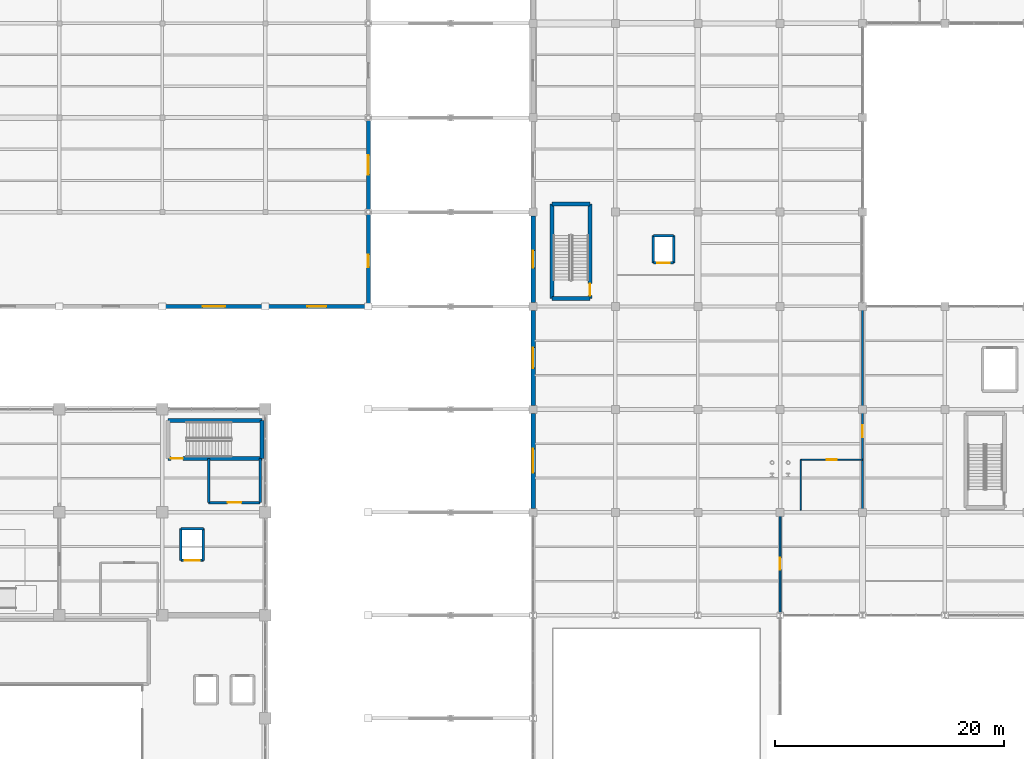
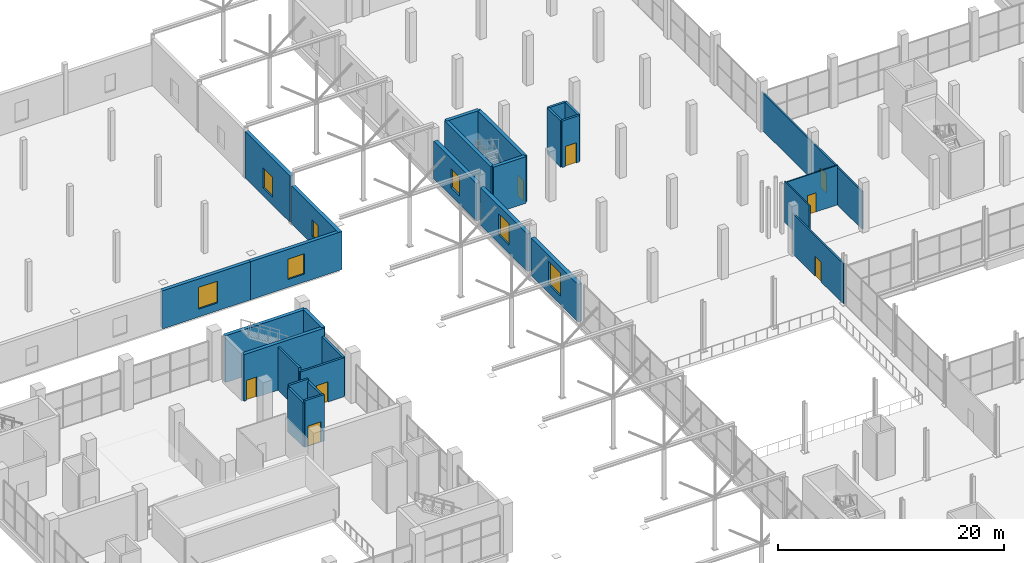
# One storey, part 133 of 147: 29 walls, 8 doors, 7 windows, 15 openings.
"""IFC4 building model written with IfcOpenShell, lengths in metres."""

from ifc_helpers import new_model, si_unit, direction, frame, frame_2d, origin, place, context, subcontext, project, spatial, rectangle, extrude, material, layer, layer_set, type_object, element, fill, save


model = new_model("IFC4")

# Units and contexts
model_context = context("Model", 3, precision=1e-05, world=origin(), true_north=direction((0.0, 1.0)))
body_context = subcontext(model_context, "Body", "Model", "MODEL_VIEW")
ifc_project = project(units=[si_unit("LENGTHUNIT", "METRE"), si_unit("AREAUNIT", "SQUARE_METRE"), si_unit("VOLUMEUNIT", "CUBIC_METRE"), si_unit("PLANEANGLEUNIT", "RADIAN"), si_unit("MASSUNIT", "GRAM", prefix="KILO")], contexts=[model_context])

# Site, building, storey
site_placement = place(None, origin())
site = spatial("IfcSite", under=ifc_project, at=site_placement, CompositionType="ELEMENT")
building_placement = place(site_placement, origin())
building = spatial("IfcBuilding", under=site, at=building_placement, Name="Sundgate Opera House", CompositionType="ELEMENT")
storey_placement = place(building_placement, frame((0.0, 0.0, 6.0)))
storey = spatial("IfcBuildingStorey", under=building, at=storey_placement, Name="L01", CompositionType="ELEMENT", Elevation=6.0)

# Wall, opening, door
ifc_material_1 = material(Name="Concrete C40/50", Category="concrete")
ifc_layer_1 = layer(ifc_material_1, 0.35009765625)
ifc_layer_set_1 = layer_set([ifc_layer_1], Name="Concrete C40/50")
wall_type_1 = type_object("IfcWallType", Name="WL-CORE-350", PredefinedType="SHEAR", material=ifc_layer_set_1)
wall_1_placement = place(storey_placement, frame((63.510009765625, 73.7099609375, 0.0), z_axis=(0.0, 0.0, 1.0), x_axis=(1.0, 0.0, 0.0)))
wall_1 = element("IfcWall", 1, at=wall_1_placement, inside=storey, type_object=wall_type_1, Name="L01 C4 South Shaft Wall", PredefinedType="SHEAR", context=body_context, shape_type="SweptSolid", body=[
    extrude(rectangle(XDim=8.179931640625, YDim=0.35009765625, at=frame_2d((4.08984375, 0.0))), origin(), (0.0, 0.0, 1.0), 5.050048828125),
])
opening_1_placement = place(wall_1_placement, frame((0.239990234375, 0.0, 0.0)))
opening_1 = element("IfcOpeningElement", 2, at=opening_1_placement, cuts=wall_1, Name="Opening DI01", PredefinedType="OPENING", context=body_context, shape_type="SweptSolid", body=[
    extrude(rectangle(XDim=1.050048828125, YDim=2.179931640625, at=frame_2d((0.52490234375, 1.08984375))), frame((0.0, 0.18505859375, 0.0), z_axis=(0.0, -1.0, 0.0), x_axis=(1.0, 0.0, 0.0)), (0.0, 0.0, 1.0), 0.3701171875),
])
ifc_material_2 = material(Name="Acoustic hardwood timber and steel core", Category="steel")
door_type_1 = type_object("IfcDoorType", Name="DR-STAIR-1050x2180", OperationType="NOTDEFINED", PredefinedType="DOOR", material=ifc_material_2)
door_1_placement = place(opening_1_placement, origin())
door_1 = element("IfcDoor", 3, at=door_1_placement, inside=storey, type_object=door_type_1, Name="L01 C4 Stair Door D0060", OperationType="SINGLE_SWING_RIGHT", OverallHeight=2.179931640625, OverallWidth=1.050048828125, PredefinedType="DOOR", context=body_context, shape_type="SweptSolid", body=[
    extrude(rectangle(XDim=1.050048828125, YDim=2.179931640625, at=frame_2d((0.52490234375, 1.08984375))), frame((0.0, 0.02490234375, 0.0), z_axis=(0.0, -1.0, 0.0), x_axis=(1.0, 0.0, 0.0)), (0.0, 0.0, 1.0), 0.050048828125),
])
fill(opening_1, door_1)

# Walls
wall_2_placement = place(storey_placement, frame((63.510009765625, 77.0400390625, 0.0), z_axis=(0.0, 0.0, 1.0), x_axis=(1.0, 0.0, 0.0)))
element("IfcWall", 4, at=wall_2_placement, inside=storey, type_object=wall_type_1, Name="L01 C4 North Shaft Wall", PredefinedType="SHEAR", context=body_context, shape_type="SweptSolid", body=[
    extrude(rectangle(XDim=8.179931640625, YDim=0.35009765625, at=frame_2d((4.08984375, 0.0))), origin(), (0.0, 0.0, 1.0), 5.050048828125),
])
wall_3_placement = place(storey_placement, frame((71.68994140625, 73.7099609375, 0.0), z_axis=(0.0, 0.0, 1.0), x_axis=(0.0, 1.0, 0.0)))
element("IfcWall", 5, at=wall_3_placement, inside=storey, type_object=wall_type_1, Name="L01 C4 East Shaft Wall", PredefinedType="SHEAR", context=body_context, shape_type="SweptSolid", body=[
    extrude(rectangle(XDim=3.330078125, YDim=0.35009765625, at=frame_2d((1.6650390625, 0.0))), origin(), (0.0, 0.0, 1.0), 5.050048828125),
])
for number, where, z_axis, x_axis, name in (
    (6, (97.06005859375, 87.7099609375, 0.0), (0.0, 0.0, 1.0), (1.0, 0.0, 0.0), "L01 C5 South Shaft Wall"),
    (7, (97.06005859375, 95.93994140625, 0.0), (0.0, 0.0, 1.0), (1.0, 0.0, 0.0), "L01 C5 North Shaft Wall"),
):
    element("IfcWall", number, at=place(storey_placement, frame(where, z_axis=z_axis, x_axis=x_axis)), inside=storey, type_object=wall_type_1, Name=name, PredefinedType="SHEAR", context=body_context, shape_type="SweptSolid", body=[
        extrude(rectangle(XDim=3.329833984375, YDim=0.35009765625, at=frame_2d((1.6650390625, 0.0))), origin(), (0.0, 0.0, 1.0), 5.050048828125),
    ])
wall_4_placement = place(storey_placement, frame((97.06005859375, 87.7099609375, 0.0), z_axis=(0.0, 0.0, 1.0), x_axis=(0.0, 1.0, 0.0)))
element("IfcWall", 8, at=wall_4_placement, inside=storey, type_object=wall_type_1, Name="L01 C5 West Shaft Wall", PredefinedType="SHEAR", context=body_context, shape_type="SweptSolid", body=[
    extrude(rectangle(XDim=8.22998046875, YDim=0.35009765625, at=frame_2d((4.114990234375, 0.0))), origin(), (0.0, 0.0, 1.0), 5.050048828125),
])

# Wall, opening, door
wall_5_placement = place(storey_placement, frame((100.389892578125, 87.7099609375, 0.0), z_axis=(0.0, 0.0, 1.0), x_axis=(0.0, 1.0, 0.0)))
wall_5 = element("IfcWall", 9, at=wall_5_placement, inside=storey, type_object=wall_type_1, Name="L01 C5 East Shaft Wall", PredefinedType="SHEAR", context=body_context, shape_type="SweptSolid", body=[
    extrude(rectangle(XDim=8.22998046875, YDim=0.35009765625, at=frame_2d((4.114990234375, 0.0))), origin(), (0.0, 0.0, 1.0), 5.050048828125),
])
opening_2_placement = place(wall_5_placement, frame((0.239990234375, 0.0, 0.0)))
opening_2 = element("IfcOpeningElement", 10, at=opening_2_placement, cuts=wall_5, Name="Opening DI01", PredefinedType="OPENING", context=body_context, shape_type="SweptSolid", body=[
    extrude(rectangle(XDim=1.050048828125, YDim=2.179931640625, at=frame_2d((0.52490234375, 1.08984375))), frame((0.0, 0.18505859375, 0.0), z_axis=(0.0, -1.0, 0.0), x_axis=(1.0, 0.0, 0.0)), (0.0, 0.0, 1.0), 0.3701171875),
])
door_2_placement = place(opening_2_placement, origin())
door_2 = element("IfcDoor", 11, at=door_2_placement, inside=storey, type_object=door_type_1, Name="L01 C5 Stair Door D0074", OperationType="SINGLE_SWING_RIGHT", OverallHeight=2.179931640625, OverallWidth=1.050048828125, PredefinedType="DOOR", context=body_context, shape_type="SweptSolid", body=[
    extrude(rectangle(XDim=1.050048828125, YDim=2.179931640625, at=frame_2d((0.52490234375, 1.08984375))), frame((0.0, 0.02490234375, 0.0), z_axis=(0.0, -1.0, 0.0), x_axis=(1.0, 0.0, 0.0)), (0.0, 0.0, 1.0), 0.050048828125),
])
fill(opening_2, door_2)

# Wall, opening, window
ifc_material_3 = material(Name="Scanian red-brown facing brick masonry", Category="masonry")
ifc_layer_2 = layer(ifc_material_3, 0.360107421875)
ifc_layer_set_2 = layer_set([ifc_layer_2], Name="Scanian red-brown facing brick masonry")
wall_type_2 = type_object("IfcWallType", Name="WL-EXT-BRICK-360", PredefinedType="SOLIDWALL", material=ifc_layer_set_2)
wall_6_placement = place(storey_placement, frame((81.0, 86.840087890625, 0.0), z_axis=(0.0, 0.0, 1.0), x_axis=(0.0, 1.0, 0.0)))
wall_6 = element("IfcWall", 12, at=wall_6_placement, inside=storey, type_object=wall_type_2, Name="L01 Costume Wing East Wall W0389", PredefinedType="SOLIDWALL", context=body_context, shape_type="SweptSolid", body=[
    extrude(rectangle(XDim=8.27783203125, YDim=0.360107421875, at=frame_2d((4.138916015625, 0.0))), origin(), (0.0, 0.0, 1.0), 4.114990234375),
])
opening_3_placement = place(wall_6_placement, frame((3.589111328125, 0.0, 0.85009765625)))
opening_3 = element("IfcOpeningElement", 13, at=opening_3_placement, cuts=wall_6, Name="Opening W12", PredefinedType="OPENING", context=body_context, shape_type="SweptSolid", body=[
    extrude(rectangle(XDim=1.10009765625, YDim=1.800048828125, at=frame_2d((0.550048828125, 0.89990234375))), frame((0.0, 0.18994140625, 0.0), z_axis=(0.0, -1.0, 0.0), x_axis=(1.0, 0.0, 0.0)), (0.0, 0.0, 1.0), 0.380126953125),
])
ifc_material_4 = material(Name="Low-iron triple glazing in patinated bronze frame", Category="glass")
window_type_1 = type_object("IfcWindowType", Name="WN-STAGE-1100x1800", PartitioningType="SINGLE_PANEL", PredefinedType="WINDOW", material=ifc_material_4)
window_1_placement = place(opening_3_placement, origin())
window_1 = element("IfcWindow", 14, at=window_1_placement, inside=storey, type_object=window_type_1, Name="L01 Costume Pavilion Window WN0303", OverallHeight=1.800048828125, OverallWidth=1.10009765625, PartitioningType="SINGLE_PANEL", PredefinedType="WINDOW", context=body_context, shape_type="SweptSolid", body=[
    extrude(rectangle(XDim=1.10009765625, YDim=1.800048828125, at=frame_2d((0.550048828125, 0.89990234375))), frame((0.0, 0.030029296875, 0.0), z_axis=(0.0, -1.0, 0.0), x_axis=(1.0, 0.0, 0.0)), (0.0, 0.0, 1.0), 0.06005859375),
])
fill(opening_3, window_1)

wall_7_placement = place(storey_placement, frame((81.0, 95.382080078125, 0.0), z_axis=(0.0, 0.0, 1.0), x_axis=(0.0, 1.0, 0.0)))
wall_7 = element("IfcWall", 15, at=wall_7_placement, inside=storey, type_object=wall_type_2, Name="L01 Costume Wing East Wall W0390", PredefinedType="SOLIDWALL", context=body_context, shape_type="SweptSolid", body=[
    extrude(rectangle(XDim=7.98583984375, YDim=0.360107421875, at=frame_2d((3.992919921875, 0.0))), origin(), (0.0, 0.0, 1.0), 5.014892578125),
])
opening_4_placement = place(wall_7_placement, frame((3.14306640625, 0.0, 0.85009765625)))
opening_4 = element("IfcOpeningElement", 16, at=opening_4_placement, cuts=wall_7, Name="Opening W13", PredefinedType="OPENING", context=body_context, shape_type="SweptSolid", body=[
    extrude(rectangle(XDim=1.699951171875, YDim=2.14990234375, at=frame_2d((0.85009765625, 1.074951171875))), frame((0.0, 0.18994140625, 0.0), z_axis=(0.0, -1.0, 0.0), x_axis=(1.0, 0.0, 0.0)), (0.0, 0.0, 1.0), 0.380126953125),
])
ifc_material_5 = material(Name="Low-iron triple glazing in patinated bronze frame", Category="glass")
window_type_2 = type_object("IfcWindowType", Name="WN-GALL-1700x2150", PartitioningType="SINGLE_PANEL", PredefinedType="WINDOW", material=ifc_material_5)
window_2_placement = place(opening_4_placement, origin())
window_2 = element("IfcWindow", 17, at=window_2_placement, inside=storey, type_object=window_type_2, Name="L01 Costume Pavilion Window WN0304", OverallHeight=2.14990234375, OverallWidth=1.699951171875, PartitioningType="SINGLE_PANEL", PredefinedType="WINDOW", context=body_context, shape_type="SweptSolid", body=[
    extrude(rectangle(XDim=1.699951171875, YDim=2.14990234375, at=frame_2d((0.85009765625, 1.074951171875))), frame((0.0, 0.030029296875, 0.0), z_axis=(0.0, -1.0, 0.0), x_axis=(1.0, 0.0, 0.0)), (0.0, 0.0, 1.0), 0.06005859375),
])
fill(opening_4, window_2)

wall_8_placement = place(storey_placement, frame((72.159912109375, 87.0, 0.0), z_axis=(0.0, 0.0, 1.0), x_axis=(-1.0, 0.0, 0.0)))
wall_8 = element("IfcWall", 18, at=wall_8_placement, inside=storey, type_object=wall_type_2, Name="L01 Costume Wing South Wall W0403", PredefinedType="SOLIDWALL", context=body_context, shape_type="SweptSolid", body=[
    extrude(rectangle(XDim=9.31982421875, YDim=0.360107421875, at=frame_2d((4.659912109375, 0.0))), origin(), (0.0, 0.0, 1.0), 4.114990234375),
])
opening_5_placement = place(wall_8_placement, frame((3.68505859375, 0.0, 0.85009765625)))
opening_5 = element("IfcOpeningElement", 19, at=opening_5_placement, cuts=wall_8, Name="Opening W16", PredefinedType="OPENING", context=body_context, shape_type="SweptSolid", body=[
    extrude(rectangle(XDim=1.949951171875, YDim=2.35009765625, at=frame_2d((0.97509765625, 1.175048828125))), frame((0.0, 0.18994140625, 0.0), z_axis=(0.0, -1.0, 0.0), x_axis=(1.0, 0.0, 0.0)), (0.0, 0.0, 1.0), 0.380126953125),
])
ifc_material_6 = material(Name="Low-iron triple glazing in patinated bronze frame", Category="glass")
window_type_3 = type_object("IfcWindowType", Name="WN-REHR-1950x2350", PartitioningType="SINGLE_PANEL", PredefinedType="WINDOW", material=ifc_material_6)
window_3_placement = place(opening_5_placement, origin())
window_3 = element("IfcWindow", 20, at=window_3_placement, inside=storey, type_object=window_type_3, Name="L01 Costume Pavilion Window WN0316", OverallHeight=2.35009765625, OverallWidth=1.949951171875, PartitioningType="SINGLE_PANEL", PredefinedType="WINDOW", context=body_context, shape_type="SweptSolid", body=[
    extrude(rectangle(XDim=1.949951171875, YDim=2.35009765625, at=frame_2d((0.97509765625, 1.175048828125))), frame((0.0, 0.030029296875, 0.0), z_axis=(0.0, -1.0, 0.0), x_axis=(1.0, 0.0, 0.0)), (0.0, 0.0, 1.0), 0.06005859375),
])
fill(opening_5, window_3)

wall_9_placement = place(storey_placement, frame((81.159912109375, 87.0, 0.0), z_axis=(0.0, 0.0, 1.0), x_axis=(-1.0, 0.0, 0.0)))
wall_9 = element("IfcWall", 21, at=wall_9_placement, inside=storey, type_object=wall_type_2, Name="L01 Costume Wing South Wall W0404", PredefinedType="SOLIDWALL", context=body_context, shape_type="SweptSolid", body=[
    extrude(rectangle(XDim=9.31982421875, YDim=0.360107421875, at=frame_2d((4.659912109375, 0.0))), origin(), (0.0, 0.0, 1.0), 4.114990234375),
])
opening_6_placement = place(wall_9_placement, frame((3.8349609375, 0.0, 0.85009765625)))
opening_6 = element("IfcOpeningElement", 22, at=opening_6_placement, cuts=wall_9, Name="Opening W09", PredefinedType="OPENING", context=body_context, shape_type="SweptSolid", body=[
    extrude(rectangle(XDim=1.64990234375, YDim=2.199951171875, at=frame_2d((0.824951171875, 1.10009765625))), frame((0.0, 0.18994140625, 0.0), z_axis=(0.0, -1.0, 0.0), x_axis=(1.0, 0.0, 0.0)), (0.0, 0.0, 1.0), 0.380126953125),
])
ifc_material_7 = material(Name="Low-iron triple glazing in patinated bronze frame", Category="glass")
window_type_4 = type_object("IfcWindowType", Name="WN-COST-1650x2200", PartitioningType="SINGLE_PANEL", PredefinedType="WINDOW", material=ifc_material_7)
window_4_placement = place(opening_6_placement, origin())
window_4 = element("IfcWindow", 23, at=window_4_placement, inside=storey, type_object=window_type_4, Name="L01 Costume Pavilion Window WN0317", OverallHeight=2.199951171875, OverallWidth=1.64990234375, PartitioningType="SINGLE_PANEL", PredefinedType="WINDOW", context=body_context, shape_type="SweptSolid", body=[
    extrude(rectangle(XDim=1.64990234375, YDim=2.199951171875, at=frame_2d((0.824951171875, 1.10009765625))), frame((0.0, 0.030029296875, 0.0), z_axis=(0.0, -1.0, 0.0), x_axis=(1.0, 0.0, 0.0)), (0.0, 0.0, 1.0), 0.06005859375),
])
fill(opening_6, window_4)

ifc_material_8 = material(Name="Scanian red-brown facing brick masonry", Category="masonry")
ifc_layer_3 = layer(ifc_material_8, 0.389892578125)
ifc_layer_set_3 = layer_set([ifc_layer_3], Name="Scanian red-brown facing brick masonry")
wall_type_3 = type_object("IfcWallType", Name="WL-EXT-BRICK-390", PredefinedType="SOLIDWALL", material=ifc_layer_set_3)
wall_10_placement = place(storey_placement, frame((95.39990234375, 77.655029296875, 0.0), z_axis=(0.0, 0.0, 1.0), x_axis=(0.0, -1.0, 0.0)))
wall_10 = element("IfcWall", 24, at=wall_10_placement, inside=storey, type_object=wall_type_3, Name="L01 Conservatory West Brick Wall W0214", PredefinedType="SOLIDWALL", context=body_context, shape_type="SweptSolid", body=[
    extrude(rectangle(XDim=8.31005859375, YDim=0.389892578125, at=frame_2d((4.155029296875, 0.0))), origin(), (0.0, 0.0, 1.0), 4.06494140625),
])
opening_7_placement = place(wall_10_placement, frame((3.10498046875, 0.0, 0.89990234375)))
opening_7 = element("IfcOpeningElement", 25, at=opening_7_placement, cuts=wall_10, Name="Opening W04", PredefinedType="OPENING", context=body_context, shape_type="SweptSolid", body=[
    extrude(rectangle(XDim=2.10009765625, YDim=2.5, at=frame_2d((1.050048828125, 1.25))), frame((0.0, 0.204833984375, 0.0), z_axis=(0.0, -1.0, 0.0), x_axis=(1.0, 0.0, 0.0)), (0.0, 0.0, 1.0), 0.409912109375),
])
ifc_material_9 = material(Name="Low-iron triple glazing in patinated bronze frame", Category="glass")
window_type_5 = type_object("IfcWindowType", Name="WN-CONS-2100x2500", PartitioningType="SINGLE_PANEL", PredefinedType="WINDOW", material=ifc_material_9)
window_5_placement = place(opening_7_placement, origin())
window_5 = element("IfcWindow", 26, at=window_5_placement, inside=storey, type_object=window_type_5, Name="L01 Conservatory Window WN0167", OverallHeight=2.5, OverallWidth=2.10009765625, PartitioningType="SINGLE_PANEL", PredefinedType="WINDOW", context=body_context, shape_type="SweptSolid", body=[
    extrude(rectangle(XDim=2.10009765625, YDim=2.5, at=frame_2d((1.050048828125, 1.25))), frame((0.0, 0.030029296875, 0.0), z_axis=(0.0, -1.0, 0.0), x_axis=(1.0, 0.0, 0.0)), (0.0, 0.0, 1.0), 0.06005859375),
])
fill(opening_7, window_5)

wall_11_placement = place(storey_placement, frame((95.39990234375, 86.655029296875, 0.0), z_axis=(0.0, 0.0, 1.0), x_axis=(0.0, -1.0, 0.0)))
wall_11 = element("IfcWall", 27, at=wall_11_placement, inside=storey, type_object=wall_type_3, Name="L01 Conservatory West Brick Wall W0215", PredefinedType="SOLIDWALL", context=body_context, shape_type="SweptSolid", body=[
    extrude(rectangle(XDim=8.31005859375, YDim=0.389892578125, at=frame_2d((4.155029296875, 0.0))), origin(), (0.0, 0.0, 1.0), 4.06494140625),
])
opening_8_placement = place(wall_11_placement, frame((3.2548828125, 0.0, 0.89990234375)))
opening_8 = element("IfcOpeningElement", 28, at=opening_8_placement, cuts=wall_11, Name="Opening W05", PredefinedType="OPENING", context=body_context, shape_type="SweptSolid", body=[
    extrude(rectangle(XDim=1.800048828125, YDim=2.300048828125, at=frame_2d((0.89990234375, 1.14990234375))), frame((0.0, 0.204833984375, 0.0), z_axis=(0.0, -1.0, 0.0), x_axis=(1.0, 0.0, 0.0)), (0.0, 0.0, 1.0), 0.409912109375),
])
ifc_material_10 = material(Name="Low-iron triple glazing in patinated bronze frame", Category="glass")
window_type_6 = type_object("IfcWindowType", Name="WN-CONS-1800x2300", PartitioningType="SINGLE_PANEL", PredefinedType="WINDOW", material=ifc_material_10)
window_6_placement = place(opening_8_placement, origin())
window_6 = element("IfcWindow", 29, at=window_6_placement, inside=storey, type_object=window_type_6, Name="L01 Conservatory Window WN0168", OverallHeight=2.300048828125, OverallWidth=1.800048828125, PartitioningType="SINGLE_PANEL", PredefinedType="WINDOW", context=body_context, shape_type="SweptSolid", body=[
    extrude(rectangle(XDim=1.800048828125, YDim=2.300048828125, at=frame_2d((0.89990234375, 1.14990234375))), frame((0.0, 0.030029296875, 0.0), z_axis=(0.0, -1.0, 0.0), x_axis=(1.0, 0.0, 0.0)), (0.0, 0.0, 1.0), 0.06005859375),
])
fill(opening_8, window_6)

wall_12_placement = place(storey_placement, frame((95.39990234375, 94.905029296875, 0.0), z_axis=(0.0, 0.0, 1.0), x_axis=(0.0, -1.0, 0.0)))
wall_12 = element("IfcWall", 30, at=wall_12_placement, inside=storey, type_object=wall_type_3, Name="L01 Conservatory West Brick Wall W0216", PredefinedType="SOLIDWALL", context=body_context, shape_type="SweptSolid", body=[
    extrude(rectangle(XDim=7.56005859375, YDim=0.389892578125, at=frame_2d((3.780029296875, 0.0))), origin(), (0.0, 0.0, 1.0), 4.06494140625),
])
opening_9_placement = place(wall_12_placement, frame((3.030029296875, 0.0, 0.89990234375)))
opening_9 = element("IfcOpeningElement", 31, at=opening_9_placement, cuts=wall_12, Name="Opening W06", PredefinedType="OPENING", context=body_context, shape_type="SweptSolid", body=[
    extrude(rectangle(XDim=1.5, YDim=2.050048828125, at=frame_2d((0.75, 1.02490234375))), frame((0.0, 0.204833984375, 0.0), z_axis=(0.0, -1.0, 0.0), x_axis=(1.0, 0.0, 0.0)), (0.0, 0.0, 1.0), 0.409912109375),
])
ifc_material_11 = material(Name="Low-iron triple glazing in patinated bronze frame", Category="glass")
window_type_7 = type_object("IfcWindowType", Name="WN-CONS-1500x2050", PartitioningType="SINGLE_PANEL", PredefinedType="WINDOW", material=ifc_material_11)
window_7_placement = place(opening_9_placement, origin())
window_7 = element("IfcWindow", 32, at=window_7_placement, inside=storey, type_object=window_type_7, Name="L01 Conservatory Window WN0169", OverallHeight=2.050048828125, OverallWidth=1.5, PartitioningType="SINGLE_PANEL", PredefinedType="WINDOW", context=body_context, shape_type="SweptSolid", body=[
    extrude(rectangle(XDim=1.5, YDim=2.050048828125, at=frame_2d((0.75, 1.02490234375))), frame((0.0, 0.030029296875, 0.0), z_axis=(0.0, -1.0, 0.0), x_axis=(1.0, 0.0, 0.0)), (0.0, 0.0, 1.0), 0.06005859375),
])
fill(opening_9, window_7)

# Wall, opening, door
ifc_material_12 = material(Name="Fire-rated gypsum and mineral-wool shaft partition", Category="gypsum")
ifc_layer_4 = layer(ifc_material_12, 0.219970703125)
ifc_layer_set_4 = layer_set([ifc_layer_4], Name="Fire-rated gypsum and mineral-wool shaft partition")
wall_type_4 = type_object("IfcWallType", Name="WL-INT-FIRE-220", PredefinedType="PARTITIONING", material=ifc_layer_set_4)
wall_13_placement = place(storey_placement, frame((67.050048828125, 69.85009765625, 0.0), z_axis=(0.0, 0.0, 1.0), x_axis=(1.0, 0.0, 0.0)))
wall_13 = element("IfcWall", 33, at=wall_13_placement, inside=storey, type_object=wall_type_4, Name="L01 C4 Firefighting Lobby South Wall", PredefinedType="PARTITIONING", context=body_context, shape_type="SweptSolid", body=[
    extrude(rectangle(XDim=4.5, YDim=0.219970703125, at=frame_2d((2.25, 0.0))), origin(), (0.0, 0.0, 1.0), 4.215087890625),
])
opening_10_placement = place(wall_13_placement, frame((1.64990234375, 0.0, 0.0)))
opening_10 = element("IfcOpeningElement", 34, at=opening_10_placement, cuts=wall_13, Name="Opening DI02", PredefinedType="OPENING", context=body_context, shape_type="SweptSolid", body=[
    extrude(rectangle(XDim=1.199951171875, YDim=2.179931640625, at=frame_2d((0.60009765625, 1.08984375))), frame((0.0, 0.119873046875, 0.0), z_axis=(0.0, -1.0, 0.0), x_axis=(1.0, 0.0, 0.0)), (0.0, 0.0, 1.0), 0.239990234375),
])
ifc_material_13 = material(Name="Acoustic hardwood timber and steel core", Category="steel")
door_type_2 = type_object("IfcDoorType", Name="DR-FFLOB-1200x2180", OperationType="NOTDEFINED", PredefinedType="DOOR", material=ifc_material_13)
door_3_placement = place(opening_10_placement, origin())
door_3 = element("IfcDoor", 35, at=door_3_placement, inside=storey, type_object=door_type_2, Name="L01 C4 Firefighting Lobby Door D0061", OperationType="SINGLE_SWING_LEFT", OverallHeight=2.179931640625, OverallWidth=1.199951171875, PredefinedType="DOOR", context=body_context, shape_type="SweptSolid", body=[
    extrude(rectangle(XDim=1.199951171875, YDim=2.179931640625, at=frame_2d((0.60009765625, 1.08984375))), frame((0.0, 0.02490234375, 0.0), z_axis=(0.0, -1.0, 0.0), x_axis=(1.0, 0.0, 0.0)), (0.0, 0.0, 1.0), 0.050048828125),
])
fill(opening_10, door_3)

# Walls
wall_14_placement = place(storey_placement, frame((67.050048828125, 69.85009765625, 0.0), z_axis=(0.0, 0.0, 1.0), x_axis=(0.0, 1.0, 0.0)))
element("IfcWall", 36, at=wall_14_placement, inside=storey, type_object=wall_type_4, Name="L01 C4 Firefighting Lobby West Wall", PredefinedType="PARTITIONING", context=body_context, shape_type="SweptSolid", body=[
    extrude(rectangle(XDim=3.85986328125, YDim=0.219970703125, at=frame_2d((1.929931640625, 0.0))), origin(), (0.0, 0.0, 1.0), 4.64501953125),
])
wall_15_placement = place(storey_placement, frame((71.550048828125, 69.85009765625, 0.0), z_axis=(0.0, 0.0, 1.0), x_axis=(0.0, 1.0, 0.0)))
element("IfcWall", 37, at=wall_15_placement, inside=storey, type_object=wall_type_4, Name="L01 C4 Firefighting Lobby East Wall", PredefinedType="PARTITIONING", context=body_context, shape_type="SweptSolid", body=[
    extrude(rectangle(XDim=3.85986328125, YDim=0.219970703125, at=frame_2d((1.929931640625, 0.0))), origin(), (0.0, 0.0, 1.0), 4.215087890625),
])

# Wall, opening, door
wall_16_placement = place(storey_placement, frame((105.909912109375, 90.81005859375, 0.0), z_axis=(0.0, 0.0, 1.0), x_axis=(1.0, 0.0, 0.0)))
wall_16 = element("IfcWall", 38, at=wall_16_placement, inside=storey, type_object=wall_type_4, Name="L01 LF-04 South Shaft Wall", PredefinedType="PARTITIONING", context=body_context, shape_type="SweptSolid", body=[
    extrude(rectangle(XDim=1.780029296875, YDim=0.219970703125, at=frame_2d((0.89013671875, 0.0))), origin(), (0.0, 0.0, 1.0), 5.014892578125),
])
opening_11_placement = place(wall_16_placement, frame((0.340087890625, 0.0, 0.0)))
opening_11 = element("IfcOpeningElement", 39, at=opening_11_placement, cuts=wall_16, Name="Opening LD1", PredefinedType="OPENING", context=body_context, shape_type="SweptSolid", body=[
    extrude(rectangle(XDim=1.10009765625, YDim=2.179931640625, at=frame_2d((0.550048828125, 1.08984375))), frame((0.0, 0.119873046875, 0.0), z_axis=(0.0, -1.0, 0.0), x_axis=(1.0, 0.0, 0.0)), (0.0, 0.0, 1.0), 0.239990234375),
])
ifc_material_14 = material(Name="Brushed stainless steel EN 1.4301", Category="steel")
door_type_3 = type_object("IfcDoorType", Name="DR-LIFT-1100x2180", OperationType="DOUBLE_DOOR_SLIDING", PredefinedType="DOOR", material=ifc_material_14)
door_4_placement = place(opening_11_placement, origin())
door_4 = element("IfcDoor", 40, at=door_4_placement, inside=storey, type_object=door_type_3, Name="L01 LF-04 Landing Door D0115", OperationType="DOUBLE_DOOR_SLIDING", OverallHeight=2.179931640625, OverallWidth=1.10009765625, PredefinedType="DOOR", context=body_context, shape_type="SweptSolid", body=[
    extrude(rectangle(XDim=1.10009765625, YDim=2.179931640625, at=frame_2d((0.550048828125, 1.08984375))), frame((0.0, 0.02490234375, 0.0), z_axis=(0.0, -1.0, 0.0), x_axis=(1.0, 0.0, 0.0)), (0.0, 0.0, 1.0), 0.050048828125),
])
fill(opening_11, door_4)

# Walls
wall_17_placement = place(storey_placement, frame((105.909912109375, 93.18994140625, 0.0), z_axis=(0.0, 0.0, 1.0), x_axis=(1.0, 0.0, 0.0)))
element("IfcWall", 41, at=wall_17_placement, inside=storey, type_object=wall_type_4, Name="L01 LF-04 North Shaft Wall", PredefinedType="PARTITIONING", context=body_context, shape_type="SweptSolid", body=[
    extrude(rectangle(XDim=1.780029296875, YDim=0.219970703125, at=frame_2d((0.89013671875, 0.0))), origin(), (0.0, 0.0, 1.0), 5.014892578125),
])
for number, where, z_axis, x_axis, name in (
    (42, (105.909912109375, 90.81005859375, 0.0), (0.0, 0.0, 1.0), (0.0, 1.0, 0.0), "L01 LF-04 West Shaft Wall"),
    (43, (107.68994140625, 90.81005859375, 0.0), (0.0, 0.0, 1.0), (0.0, 1.0, 0.0), "L01 LF-04 East Shaft Wall"),
):
    element("IfcWall", number, at=place(storey_placement, frame(where, z_axis=z_axis, x_axis=x_axis)), inside=storey, type_object=wall_type_4, Name=name, PredefinedType="PARTITIONING", context=body_context, shape_type="SweptSolid", body=[
        extrude(rectangle(XDim=2.3798828125, YDim=0.219970703125, at=frame_2d((1.18994140625, 0.0))), origin(), (0.0, 0.0, 1.0), 5.014892578125),
    ])

# Wall, opening, door
wall_18_placement = place(storey_placement, frame((64.610107421875, 64.81005859375, 0.0), z_axis=(0.0, 0.0, 1.0), x_axis=(1.0, 0.0, 0.0)))
wall_18 = element("IfcWall", 44, at=wall_18_placement, inside=storey, type_object=wall_type_4, Name="L01 FF2 South Shaft Wall", PredefinedType="PARTITIONING", context=body_context, shape_type="SweptSolid", body=[
    extrude(rectangle(XDim=1.97998046875, YDim=0.219970703125, at=frame_2d((0.989990234375, 0.0))), origin(), (0.0, 0.0, 1.0), 5.014892578125),
])
opening_12_placement = place(wall_18_placement, frame((0.340087890625, 0.0, 0.0)))
opening_12 = element("IfcOpeningElement", 45, at=opening_12_placement, cuts=wall_18, Name="Opening LD2", PredefinedType="OPENING", context=body_context, shape_type="SweptSolid", body=[
    extrude(rectangle(XDim=1.300048828125, YDim=2.199951171875, at=frame_2d((0.64990234375, 1.10009765625))), frame((0.0, 0.119873046875, 0.0), z_axis=(0.0, -1.0, 0.0), x_axis=(1.0, 0.0, 0.0)), (0.0, 0.0, 1.0), 0.239990234375),
])
ifc_material_15 = material(Name="Brushed stainless steel EN 1.4301", Category="steel")
door_type_4 = type_object("IfcDoorType", Name="DR-LIFT-1300x2200", OperationType="DOUBLE_DOOR_SLIDING", PredefinedType="DOOR", material=ifc_material_15)
door_5_placement = place(opening_12_placement, origin())
door_5 = element("IfcDoor", 46, at=door_5_placement, inside=storey, type_object=door_type_4, Name="L01 FF2 Landing Door D0138", OperationType="DOUBLE_DOOR_SLIDING", OverallHeight=2.199951171875, OverallWidth=1.300048828125, PredefinedType="DOOR", context=body_context, shape_type="SweptSolid", body=[
    extrude(rectangle(XDim=1.300048828125, YDim=2.199951171875, at=frame_2d((0.64990234375, 1.10009765625))), frame((0.0, 0.02490234375, 0.0), z_axis=(0.0, -1.0, 0.0), x_axis=(1.0, 0.0, 0.0)), (0.0, 0.0, 1.0), 0.050048828125),
])
fill(opening_12, door_5)

# Walls
wall_19_placement = place(storey_placement, frame((64.610107421875, 67.590087890625, 0.0), z_axis=(0.0, 0.0, 1.0), x_axis=(1.0, 0.0, 0.0)))
element("IfcWall", 47, at=wall_19_placement, inside=storey, type_object=wall_type_4, Name="L01 FF2 North Shaft Wall", PredefinedType="PARTITIONING", context=body_context, shape_type="SweptSolid", body=[
    extrude(rectangle(XDim=1.97998046875, YDim=0.219970703125, at=frame_2d((0.989990234375, 0.0))), origin(), (0.0, 0.0, 1.0), 5.014892578125),
])
for number, where, z_axis, x_axis, name in (
    (48, (64.610107421875, 64.81005859375, 0.0), (0.0, 0.0, 1.0), (0.0, 1.0, 0.0), "L01 FF2 West Shaft Wall"),
    (49, (66.590087890625, 64.81005859375, 0.0), (0.0, 0.0, 1.0), (0.0, 1.0, 0.0), "L01 FF2 East Shaft Wall"),
):
    element("IfcWall", number, at=place(storey_placement, frame(where, z_axis=z_axis, x_axis=x_axis)), inside=storey, type_object=wall_type_4, Name=name, PredefinedType="PARTITIONING", context=body_context, shape_type="SweptSolid", body=[
        extrude(rectangle(XDim=2.780029296875, YDim=0.219970703125, at=frame_2d((1.39013671875, 0.0))), origin(), (0.0, 0.0, 1.0), 4.77490234375),
    ])

# Wall, opening, door
ifc_material_16 = material(Name="Dressing suite acoustic partition", Category="gypsum")
ifc_layer_5 = layer(ifc_material_16, 0.159912109375)
ifc_layer_set_5 = layer_set([ifc_layer_5], Name="Dressing suite acoustic partition")
wall_type_5 = type_object("IfcWallType", Name="WL-INT-PART-160", PredefinedType="PARTITIONING", material=ifc_layer_set_5)
wall_20_placement = place(storey_placement, frame((117.0, 60.0, 0.0), z_axis=(0.0, 0.0, 1.0), x_axis=(0.0, 1.0, 0.0)))
wall_20 = element("IfcWall", 50, at=wall_20_placement, inside=storey, type_object=wall_type_5, Name="L01 Interior Partition W1030", PredefinedType="PARTITIONING", context=body_context, shape_type="SweptSolid", body=[
    extrude(rectangle(XDim=9.0, YDim=0.159912109375, at=frame_2d((4.5, 0.0))), origin(), (0.0, 0.0, 1.0), 4.364990234375),
])
opening_13_placement = place(wall_20_placement, frame((3.97509765625, 0.0, 0.0)))
opening_13 = element("IfcOpeningElement", 51, at=opening_13_placement, cuts=wall_20, Name="Opening DI08", PredefinedType="OPENING", context=body_context, shape_type="SweptSolid", body=[
    extrude(rectangle(XDim=1.050048828125, YDim=2.1201171875, at=frame_2d((0.52490234375, 1.06005859375))), frame((0.0, 0.08984375, 0.0), z_axis=(0.0, -1.0, 0.0), x_axis=(1.0, 0.0, 0.0)), (0.0, 0.0, 1.0), 0.179931640625),
])
ifc_material_17 = material(Name="Acoustic hardwood timber and steel core", Category="steel")
door_type_5 = type_object("IfcDoorType", Name="DR-ROOM-1050x2120", OperationType="NOTDEFINED", PredefinedType="DOOR", material=ifc_material_17)
door_6_placement = place(opening_13_placement, origin())
door_6 = element("IfcDoor", 52, at=door_6_placement, inside=storey, type_object=door_type_5, Name="L01 Interior Door D0200", OperationType="SINGLE_SWING_RIGHT", OverallHeight=2.1201171875, OverallWidth=1.050048828125, PredefinedType="DOOR", context=body_context, shape_type="SweptSolid", body=[
    extrude(rectangle(XDim=1.050048828125, YDim=2.1201171875, at=frame_2d((0.52490234375, 1.06005859375))), frame((0.0, 0.02490234375, 0.0), z_axis=(0.0, -1.0, 0.0), x_axis=(1.0, 0.0, 0.0)), (0.0, 0.0, 1.0), 0.050048828125),
])
fill(opening_13, door_6)

wall_21_placement = place(storey_placement, frame((124.199951171875, 69.199951171875, 0.0), z_axis=(0.0, 0.0, 1.0), x_axis=(0.0, 1.0, 0.0)))
wall_21 = element("IfcWall", 53, at=wall_21_placement, inside=storey, type_object=wall_type_5, Name="L01 Interior Partition W1036", PredefinedType="PARTITIONING", context=body_context, shape_type="SweptSolid", body=[
    extrude(rectangle(XDim=17.800048828125, YDim=0.159912109375, at=frame_2d((8.89990234375, 0.0))), origin(), (0.0, 0.0, 1.0), 4.06494140625),
])
opening_14_placement = place(wall_21_placement, frame((6.364990234375, 0.0, 0.0)))
opening_14 = element("IfcOpeningElement", 54, at=opening_14_placement, cuts=wall_21, Name="Opening DI08", PredefinedType="OPENING", context=body_context, shape_type="SweptSolid", body=[
    extrude(rectangle(XDim=1.050048828125, YDim=2.1201171875, at=frame_2d((0.52490234375, 1.06005859375))), frame((0.0, 0.08984375, 0.0), z_axis=(0.0, -1.0, 0.0), x_axis=(1.0, 0.0, 0.0)), (0.0, 0.0, 1.0), 0.179931640625),
])
door_7_placement = place(opening_14_placement, origin())
door_7 = element("IfcDoor", 55, at=door_7_placement, inside=storey, type_object=door_type_5, Name="L01 Interior Door D0205", OperationType="SINGLE_SWING_RIGHT", OverallHeight=2.1201171875, OverallWidth=1.050048828125, PredefinedType="DOOR", context=body_context, shape_type="SweptSolid", body=[
    extrude(rectangle(XDim=1.050048828125, YDim=2.1201171875, at=frame_2d((0.52490234375, 1.06005859375))), frame((0.0, 0.02490234375, 0.0), z_axis=(0.0, -1.0, 0.0), x_axis=(1.0, 0.0, 0.0)), (0.0, 0.0, 1.0), 0.050048828125),
])
fill(opening_14, door_7)

ifc_material_18 = material(Name="Moisture-resistant sanitary partition", Category="gypsum")
ifc_layer_6 = layer(ifc_material_18, 0.114990234375)
ifc_layer_set_6 = layer_set([ifc_layer_6], Name="Moisture-resistant sanitary partition")
wall_type_6 = type_object("IfcWallType", Name="WL-INT-WET-115", PredefinedType="PARTITIONING", material=ifc_layer_set_6)
wall_22_placement = place(storey_placement, frame((118.800048828125, 73.60009765625, 0.0), z_axis=(0.0, 0.0, 1.0), x_axis=(1.0, 0.0, 0.0)))
wall_22 = element("IfcWall", 56, at=wall_22_placement, inside=storey, type_object=wall_type_6, Name="L01 Interior Partition W1037", PredefinedType="PARTITIONING", context=body_context, shape_type="SweptSolid", body=[
    extrude(rectangle(XDim=5.39990234375, YDim=0.114990234375, at=frame_2d((2.699951171875, 0.0))), origin(), (0.0, 0.0, 1.0), 4.264892578125),
])
opening_15_placement = place(wall_22_placement, frame((2.260009765625, 0.0, 0.0)))
opening_15 = element("IfcOpeningElement", 57, at=opening_15_placement, cuts=wall_22, Name="Opening DI13", PredefinedType="OPENING", context=body_context, shape_type="SweptSolid", body=[
    extrude(rectangle(XDim=0.8798828125, YDim=2.06005859375, at=frame_2d((0.43994140625, 1.030029296875))), frame((0.0, 0.0673828125, 0.0), z_axis=(0.0, -1.0, 0.0), x_axis=(1.0, 0.0, 0.0)), (0.0, 0.0, 1.0), 0.135009765625),
])
ifc_material_19 = material(Name="Acoustic hardwood timber and steel core", Category="steel")
door_type_6 = type_object("IfcDoorType", Name="DR-WC-880x2060", OperationType="NOTDEFINED", PredefinedType="DOOR", material=ifc_material_19)
door_8_placement = place(opening_15_placement, origin())
door_8 = element("IfcDoor", 58, at=door_8_placement, inside=storey, type_object=door_type_6, Name="L01 Interior Door D0206", OperationType="SINGLE_SWING_LEFT", OverallHeight=2.06005859375, OverallWidth=0.8798828125, PredefinedType="DOOR", context=body_context, shape_type="SweptSolid", body=[
    extrude(rectangle(XDim=0.8798828125, YDim=2.06005859375, at=frame_2d((0.43994140625, 1.030029296875))), frame((0.0, 0.02490234375, 0.0), z_axis=(0.0, -1.0, 0.0), x_axis=(1.0, 0.0, 0.0)), (0.0, 0.0, 1.0), 0.050048828125),
])
fill(opening_15, door_8)

# Wall
wall_23_placement = place(storey_placement, frame((118.800048828125, 69.199951171875, 0.0), z_axis=(0.0, 0.0, 1.0), x_axis=(0.0, 1.0, 0.0)))
element("IfcWall", 59, at=wall_23_placement, inside=storey, type_object=wall_type_6, Name="L01 Interior Partition W1038", PredefinedType="PARTITIONING", context=body_context, shape_type="SweptSolid", body=[
    extrude(rectangle(XDim=4.400146484375, YDim=0.114990234375, at=frame_2d((2.2001953125, 0.0))), origin(), (0.0, 0.0, 1.0), 4.4150390625),
])

save(model, "model.ifc")
